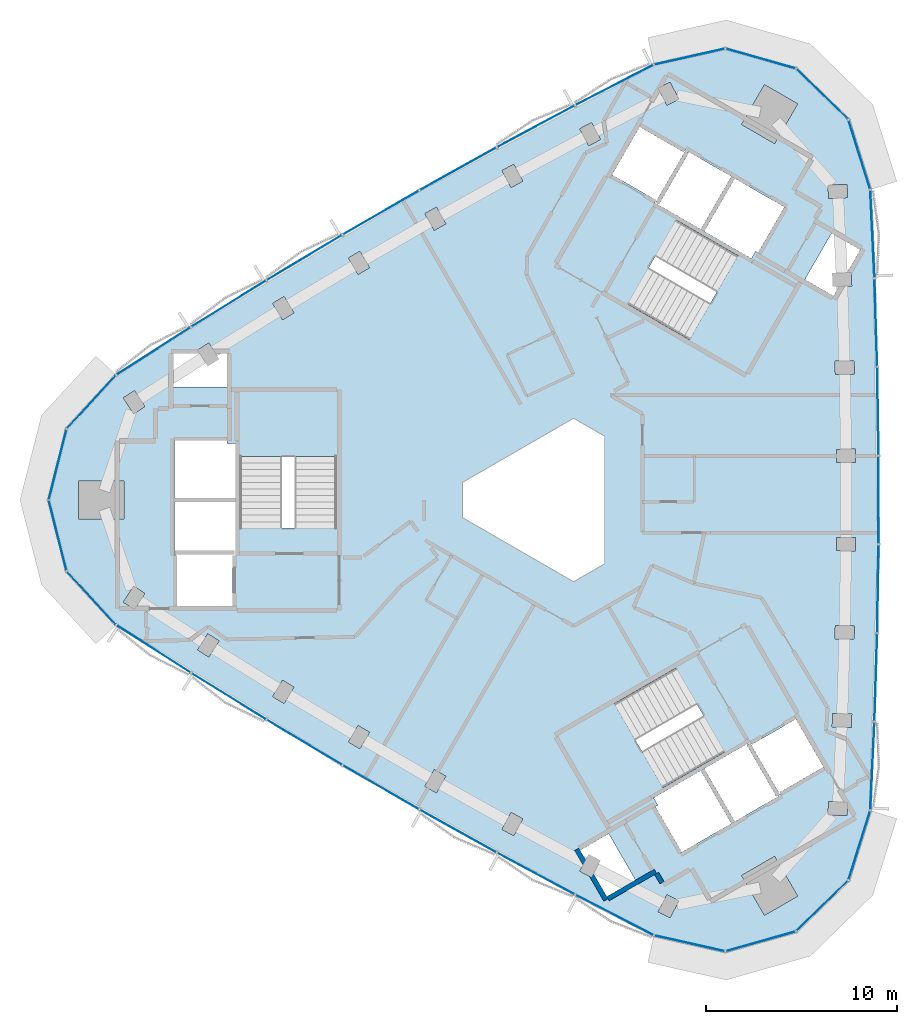
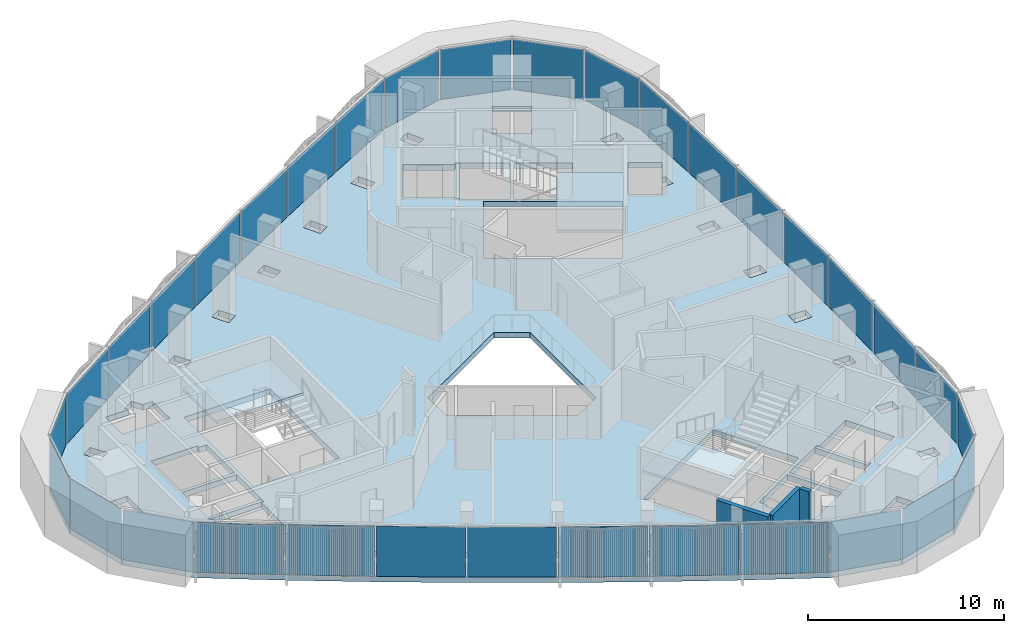
# One storey, part 5 of 12: 33 plates, 4 slabs, 3 walls, 6 elements without a shape of their own.
"""IFC4 building model written with IfcOpenShell, lengths in metres."""

from ifc_helpers import new_model, si_unit, direction, frame, frame_2d, origin, origin_2d, place, context, subcontext, project, spatial, polyline, rectangle, outline, extrude, material, layer, layer_set, type_object, element, aggregate, save


model = new_model("IFC4")

# Units and contexts
model_context = context("Model", 3, precision=1e-05, world=origin(), true_north=direction((0.0, 1.0)))
body_context = subcontext(model_context, "Body", "Model", "MODEL_VIEW")
ifc_project = project(units=[si_unit("LENGTHUNIT", "METRE"), si_unit("AREAUNIT", "SQUARE_METRE"), si_unit("VOLUMEUNIT", "CUBIC_METRE"), si_unit("PLANEANGLEUNIT", "RADIAN"), si_unit("MASSUNIT", "GRAM", prefix="KILO")], contexts=[model_context])

# Site, building, storey
site_placement = place(None, origin())
site = spatial("IfcSite", under=ifc_project, at=site_placement, CompositionType="ELEMENT")
building_placement = place(site_placement, origin())
building = spatial("IfcBuilding", under=site, at=building_placement, Name="Tamra Quay Hotel Tower", CompositionType="ELEMENT")
storey_placement = place(building_placement, frame((0.0, 0.0, 269.39990234375)))
storey = spatial("IfcBuildingStorey", under=building, at=storey_placement, Name="L68", CompositionType="ELEMENT", Elevation=269.39990234375)

# Stair, slab
ifc_material_1 = material(Name="Exit stair 2200 24 risers 150.0 going 342")
stair_type = type_object("IfcStairType", Name="Exit stair 2200 24 risers 150.0 going 342", PredefinedType="HALF_TURN_STAIR", material=ifc_material_1)
stair_1_placement = place(storey_placement, origin())
stair_1 = element("IfcStair", 1, at=stair_1_placement, inside=storey, type_object=stair_type, Name="L68 Exit stair ST3", PredefinedType="HALF_TURN_STAIR")
ifc_material_2 = material(Name="Concrete M70", Category="concrete")
ifc_layer_1 = layer(ifc_material_2, 0.175048828125)
ifc_layer_set_1 = layer_set([ifc_layer_1], Name="Concrete M70 stair landing 180")
slab_type_1 = type_object("IfcSlabType", Name="Concrete M70 stair landing 180", PredefinedType="LANDING", material=ifc_layer_set_1)
slab_1_placement = place(storey_placement, frame((0.0, 0.0, 1.625)))
slab_1 = element("IfcSlab", 2, at=slab_1_placement, type_object=slab_type_1, Name="ST3 landing 1", PredefinedType="LANDING", context=body_context, shape_type="SweptSolid", body=[
    extrude(outline(polyline([(-10.932373046875, 2.261962890625), (-10.932373046875, 5.679931640625), (-16.09130859375, 5.679931640625), (-16.09130859375, 2.261962890625), (-10.932373046875, 2.261962890625)])), origin(), (0.0, 0.0, 1.0), 0.175048828125),
])
aggregate(stair_1, [slab_1])

stair_2_placement = place(storey_placement, origin())
stair_2 = element("IfcStair", 3, at=stair_2_placement, inside=storey, type_object=stair_type, Name="L68 Exit stair ST1", PredefinedType="HALF_TURN_STAIR")
slab_2_placement = place(storey_placement, frame((0.0, 0.0, 1.625)))
slab_2 = element("IfcSlab", 4, at=slab_2_placement, type_object=slab_type_1, Name="ST1 landing 1", PredefinedType="LANDING", context=body_context, shape_type="SweptSolid", body=[
    extrude(outline(polyline([(7.425048828125, 8.336669921875), (10.385009765625, 6.627685546875), (12.964599609375, 11.095458984375), (10.00439453125, 12.804443359375), (7.425048828125, 8.336669921875)])), origin(), (0.0, 0.0, 1.0), 0.175048828125),
])
aggregate(stair_2, [slab_2])

stair_3_placement = place(storey_placement, origin())
stair_3 = element("IfcStair", 5, at=stair_3_placement, inside=storey, type_object=stair_type, Name="L68 Exit stair ST2", PredefinedType="HALF_TURN_STAIR")
slab_3_placement = place(storey_placement, frame((0.0, 0.0, 1.625)))
slab_3 = element("IfcSlab", 6, at=slab_3_placement, type_object=slab_type_1, Name="ST2 landing 1", PredefinedType="LANDING", context=body_context, shape_type="SweptSolid", body=[
    extrude(outline(polyline([(3.50732421875, -10.5986328125), (0.547119140625, -12.3076171875), (3.126708984375, -16.775390625), (6.086669921875, -15.06640625), (3.50732421875, -10.5986328125)])), origin(), (0.0, 0.0, 1.0), 0.175048828125),
])
aggregate(stair_3, [slab_3])

# Slab
ifc_material_3 = material(Name="Concrete M60", Category="concrete")
ifc_layer_2 = layer(ifc_material_3, 0.35009765625)
ifc_layer_set_2 = layer_set([ifc_layer_2], Name="FLOOR SLAB PT 350")
slab_type_2 = type_object("IfcSlabType", Name="FLOOR SLAB PT 350", PredefinedType="FLOOR", material=ifc_layer_set_2)
slab_4_placement = place(storey_placement, frame((0.0, 0.0, -0.349853515625)))
element("IfcSlab", 7, at=slab_4_placement, inside=storey, type_object=slab_type_2, Name="SLAB-L68", PredefinedType="FLOOR", context=body_context, shape_type="SweptSolid", body=[
    extrude(outline(polyline([(17.116943359375, 11.580810546875), (17.26171875, 6.9501953125), (17.333984375, 2.31689453125), (17.333984375, -2.31689453125), (17.26171875, -6.9501953125), (17.116943359375, -11.580810546875), (16.89990234375, -16.210205078125), (15.757080078125, -19.865966796875), (13.01171875, -22.536865234375), (9.325927734375, -23.5791015625), (5.58837890625, -22.740966796875), (1.470947265625, -20.614013671875), (-2.61181640625, -18.42431640625), (-6.660400390625, -16.170166015625), (-10.673583984375, -13.853271484375), (-14.64990234375, -11.473876953125), (-18.587890625, -9.033203125), (-22.488525390625, -6.530517578125), (-25.0830078125, -3.712890625), (-26.0234375, 0.0), (-25.0830078125, 3.712890625), (-22.488525390625, 6.530517578125), (-18.587890625, 9.033203125), (-14.64990234375, 11.473876953125), (-10.673583984375, 13.853271484375), (-6.660400390625, 16.170166015625), (-2.61181640625, 18.42431640625), (1.470947265625, 20.614013671875), (5.58837890625, 22.740966796875), (9.325927734375, 23.5791015625), (13.01171875, 22.536865234375), (15.757080078125, 19.865966796875), (16.89990234375, 16.210205078125), (17.116943359375, 11.580810546875)]), holes=[polyline([(-10.3671875, -12.641357421875), (-9.763671875, -12.99609375), (-9.2568359375, -12.13427734375), (-9.8603515625, -11.779296875), (-10.3671875, -12.641357421875)]), polyline([(-14.324462890625, -10.26708984375), (-13.7265625, -10.63134765625), (-13.206298828125, -9.77734375), (-13.803955078125, -9.4130859375), (-14.324462890625, -10.26708984375)]), polyline([(-18.244140625, -7.831298828125), (-17.652099609375, -8.20458984375), (-17.118896484375, -7.358642578125), (-17.7109375, -6.9853515625), (-18.244140625, -7.831298828125)]), polyline([(-21.57861328125, -4.497314453125), (-22.125244140625, -5.33447265625), (-21.539306640625, -5.71728515625), (-20.992431640625, -4.880126953125), (-21.57861328125, -4.497314453125)]), polyline([(-16.3173828125, -2.85498046875), (-19.4072265625, -2.85498046875), (-19.4072265625, -2.89306640625), (-19.307373046875, -2.89306640625), (-19.307373046875, -5.544921875), (-16.417236328125, -5.544921875), (-16.417236328125, -2.89306640625), (-16.3173828125, -2.89306640625), (-16.3173828125, -2.85498046875)]), polyline([(-19.417236328125, -2.64501953125), (-16.307373046875, -2.64501953125), (-16.307373046875, -2.89306640625), (-16.26708984375, -2.89306640625), (-16.26708984375, -0.10498046875), (-19.45751953125, -0.10498046875), (-19.45751953125, -2.89306640625), (-19.417236328125, -2.89306640625), (-19.417236328125, -2.64501953125)]), polyline([(-24.473388671875, 1.0), (-24.473388671875, -1.0), (-22.073486328125, -1.0), (-22.073486328125, 1.0), (-24.473388671875, 1.0)]), polyline([(-16.707275390625, 2.945068359375), (-16.707275390625, 3.09521484375), (-19.45751953125, 3.09521484375), (-19.45751953125, 0.10498046875), (-16.26708984375, 0.10498046875), (-16.26708984375, 2.945068359375), (-16.707275390625, 2.945068359375)]), polyline([(-16.036376953125, -1.455078125), (-10.9873046875, -1.455078125), (-10.9873046875, 5.625), (-16.036376953125, 5.625), (-16.036376953125, -1.455078125)]), polyline([(-20.992431640625, 4.880126953125), (-21.539306640625, 5.71728515625), (-22.125244140625, 5.33447265625), (-21.57861328125, 4.497314453125), (-20.992431640625, 4.880126953125)]), polyline([(-17.29931640625, 7.64501953125), (-17.652099609375, 8.20458984375), (-18.244140625, 7.831298828125), (-18.126708984375, 7.64501953125), (-19.50732421875, 7.64501953125), (-19.50732421875, 5.9150390625), (-16.71728515625, 5.9150390625), (-16.71728515625, 7.64501953125), (-17.29931640625, 7.64501953125)]), polyline([(-13.7265625, 10.63134765625), (-14.324462890625, 10.26708984375), (-13.803955078125, 9.4130859375), (-13.206298828125, 9.77734375), (-13.7265625, 10.63134765625)]), polyline([(-9.2568359375, 12.13427734375), (-9.763671875, 12.99609375), (-10.3671875, 12.641357421875), (-9.8603515625, 11.779296875), (-9.2568359375, 12.13427734375)]), polyline([(-5.271240234375, 14.428955078125), (-5.764404296875, 15.298828125), (-6.373291015625, 14.95361328125), (-5.880126953125, 14.083740234375), (-5.271240234375, 14.428955078125)]), polyline([(5.818359375, -21.51220703125), (6.44287109375, -21.828369140625), (6.89453125, -20.936279296875), (6.27001953125, -20.6201171875), (5.818359375, -21.51220703125)]), polyline([(3.236083984375, -17.43505859375), (1.73779296875, -18.300048828125), (2.02880859375, -18.80419921875), (1.720703125, -19.389404296875), (2.33984375, -19.715576171875), (2.442626953125, -19.520751953125), (3.1328125, -20.71630859375), (4.631103515625, -19.851318359375), (3.236083984375, -17.43505859375)]), polyline([(-2.34375, -17.203369140625), (-1.7294921875, -17.538818359375), (-1.25, -16.6611328125), (-1.864501953125, -16.32568359375), (-2.34375, -17.203369140625)]), polyline([(5.5830078125, -15.560302734375), (5.80322265625, -15.94140625), (5.673095703125, -16.0166015625), (7.04833984375, -18.398193359375), (9.6376953125, -16.903076171875), (8.042724609375, -14.14013671875), (5.5830078125, -15.560302734375)]), polyline([(12.214111328125, -15.369384765625), (11.999267578125, -15.493408203125), (10.4443359375, -12.800048828125), (10.6591796875, -12.676025390625), (10.63916015625, -12.64111328125), (8.224609375, -14.03515625), (9.819580078125, -16.798095703125), (12.234130859375, -15.404052734375), (12.214111328125, -15.369384765625)]), polyline([(-6.373291015625, -14.95361328125), (-5.764404296875, -15.298828125), (-5.271240234375, -14.428955078125), (-5.880126953125, -14.083740234375), (-6.373291015625, -14.95361328125)]), polyline([(6.75390625, -8.78759765625), (0.622314453125, -12.32763671875), (3.146728515625, -16.7001953125), (9.2783203125, -13.160400390625), (6.75390625, -8.78759765625)]), polyline([(-4.39990234375, 0.923828125), (-4.39990234375, -0.923828125), (1.39990234375, -4.2724609375), (3.0, -3.3486328125), (3.0, 3.3486328125), (1.39990234375, 4.2724609375), (-4.39990234375, 0.923828125)]), polyline([(6.758056640625, 14.615478515625), (4.2333984375, 10.242919921875), (10.364990234375, 6.702880859375), (12.889404296875, 11.075439453125), (6.758056640625, 14.615478515625)]), polyline([(7.203125, 18.262451171875), (7.41796875, 18.138427734375), (5.863037109375, 15.445068359375), (5.648193359375, 15.569091796875), (5.628173828125, 15.5341796875), (8.04248046875, 14.140380859375), (9.6376953125, 16.903076171875), (7.22314453125, 18.297119140625), (7.203125, 18.262451171875)]), polyline([(-1.7294921875, 17.538818359375), (-2.34375, 17.203369140625), (-1.864501953125, 16.32568359375), (-1.25, 16.6611328125), (-1.7294921875, 17.538818359375)]), polyline([(5.68603515625, 15.55859375), (7.231201171875, 18.234619140625), (7.1982421875, 18.253662109375), (7.148193359375, 18.1669921875), (4.8515625, 19.4931640625), (3.406494140625, 16.990234375), (5.703125, 15.664306640625), (5.6533203125, 15.57763671875), (5.68603515625, 15.55859375)]), polyline([(2.805908203125, 18.830810546875), (2.33984375, 19.715576171875), (1.720703125, 19.389404296875), (2.186767578125, 18.504638671875), (2.805908203125, 18.830810546875)]), polyline([(6.44287109375, 21.828369140625), (5.818359375, 21.51220703125), (6.27001953125, 20.6201171875), (6.89453125, 20.936279296875), (6.44287109375, 21.828369140625)]), polyline([(10.170654296875, -19.6162109375), (11.37060546875, -21.694580078125), (13.102783203125, -20.694580078125), (11.902587890625, -18.6162109375), (10.170654296875, -19.6162109375)]), polyline([(14.68408203125, -16.43896484375), (15.6826171875, -16.493896484375), (15.720947265625, -15.794921875), (14.722412109375, -15.739990234375), (14.68408203125, -16.43896484375)]), polyline([(12.176025390625, -15.379638671875), (12.208984375, -15.360595703125), (12.1591796875, -15.274169921875), (14.455810546875, -13.947998046875), (13.0107421875, -11.4453125), (10.714111328125, -12.771240234375), (10.6640625, -12.6845703125), (10.631103515625, -12.70361328125), (12.176025390625, -15.379638671875)]), polyline([(15.904296875, -11.88427734375), (15.931396484375, -11.184814453125), (14.93212890625, -11.14599609375), (14.905029296875, -11.845703125), (15.904296875, -11.88427734375)]), polyline([(16.0537109375, -7.271728515625), (16.0703125, -6.572021484375), (15.070556640625, -6.548095703125), (15.053955078125, -7.247802734375), (16.0537109375, -7.271728515625)]), polyline([(15.13134765625, -2.6494140625), (16.13134765625, -2.657470703125), (16.136962890625, -1.95751953125), (15.136962890625, -1.94970703125), (15.13134765625, -2.6494140625)]), polyline([(15.136962890625, 1.94970703125), (16.136962890625, 1.95751953125), (16.13134765625, 2.657470703125), (15.13134765625, 2.6494140625), (15.136962890625, 1.94970703125)]), polyline([(16.0703125, 6.572021484375), (16.0537109375, 7.271728515625), (15.053955078125, 7.247802734375), (15.070556640625, 6.548095703125), (16.0703125, 6.572021484375)]), polyline([(13.481201171875, 11.52001953125), (14.9794921875, 10.655029296875), (15.2705078125, 11.1591796875), (15.931396484375, 11.184814453125), (15.904296875, 11.88427734375), (15.68408203125, 11.875732421875), (16.37451171875, 13.0712890625), (14.876220703125, 13.936279296875), (13.481201171875, 11.52001953125)]), polyline([(10.904052734375, 12.996337890625), (11.0341796875, 12.92138671875), (12.4091796875, 15.302978515625), (9.819580078125, 16.798095703125), (8.224365234375, 14.035400390625), (10.68408203125, 12.615234375), (10.904052734375, 12.996337890625)]), polyline([(14.722412109375, 15.739990234375), (15.720947265625, 15.794921875), (15.6826171875, 16.493896484375), (14.68408203125, 16.43896484375), (14.722412109375, 15.739990234375)]), polyline([(11.902587890625, 18.6162109375), (13.102783203125, 20.694580078125), (11.37060546875, 21.694580078125), (10.170654296875, 19.6162109375), (11.902587890625, 18.6162109375)])]), origin(), (0.0, 0.0, 1.0), 0.349853515625),
])

# Curtain wall, plates
ifc_material_4 = material(Name="Aluminium 6063 anodised dark grey", Category="aluminium")
curtain_wall_type_1 = type_object("IfcCurtainWallType", Name="CW1 CURTAIN WALL", PredefinedType="NOTDEFINED", material=ifc_material_4)
curtain_wall_1_placement = place(storey_placement, origin())
curtain_wall_1 = element("IfcCurtainWall", 8, at=curtain_wall_1_placement, inside=storey, type_object=curtain_wall_type_1, Name="CW1 east face L68", PredefinedType="NOTDEFINED")
ifc_material_5 = material(Name="Glass clear laminated low-iron", Category="glass")
ifc_layer_3 = layer(ifc_material_5, 0.02587890625)
ifc_layer_set_3 = layer_set([ifc_layer_3], Name="GLASS PANEL CW1 Z6")
plate_type_1 = type_object("IfcPlateType", Name="GLASS PANEL CW1 Z6", PredefinedType="CURTAIN_PANEL", material=ifc_layer_set_3)
plate_1_placement = place(storey_placement, frame((17.00830078125, -13.8955078125, 0.0), z_axis=(0.0, 0.0, 1.0), x_axis=(0.04682126455, 0.998903283199, 0.0)))
plate_1 = element("IfcPlate", 9, at=plate_1_placement, type_object=plate_type_1, Name="CW1 glass L68.E.1", PredefinedType="CURTAIN_PANEL", context=body_context, shape_type="SweptSolid", body=[
    extrude(rectangle(XDim=4.534423828125, YDim=0.02587890625, at=origin_2d()), origin(), (0.0, 0.0, 1.0), 3.110107421875),
])
plate_2_placement = place(storey_placement, frame((17.189208984375, -9.265625, 0.0), z_axis=(0.0, 0.0, 1.0), x_axis=(0.031241804319, 0.999511855689, 0.0)))
plate_2 = element("IfcPlate", 10, at=plate_2_placement, type_object=plate_type_1, Name="CW1 glass L68.E.2", PredefinedType="CURTAIN_PANEL", context=body_context, shape_type="SweptSolid", body=[
    extrude(rectangle(XDim=4.532958984375, YDim=0.02587890625, at=origin_2d()), origin(), (0.0, 0.0, 1.0), 3.110107421875),
])
plate_3_placement = place(storey_placement, frame((17.2978515625, -4.633544921875, 0.0), z_axis=(0.0, 0.0, 1.0), x_axis=(0.01563239478, 0.999877806651, 0.0)))
plate_3 = element("IfcPlate", 11, at=plate_3_placement, type_object=plate_type_1, Name="CW1 glass L68.E.3", PredefinedType="CURTAIN_PANEL", context=body_context, shape_type="SweptSolid", body=[
    extrude(rectangle(XDim=4.533935546875, YDim=0.02587890625, at=origin_2d()), origin(), (0.0, 0.0, 1.0), 3.110107421875),
])
plate_4_placement = place(storey_placement, frame((17.333984375, 0.0, 0.0), z_axis=(0.0, 0.0, 1.0), x_axis=(0.0, 1.0, 0.0)))
plate_4 = element("IfcPlate", 12, at=plate_4_placement, type_object=plate_type_1, Name="CW1 glass L68.E.4", PredefinedType="CURTAIN_PANEL", context=body_context, shape_type="SweptSolid", body=[
    extrude(rectangle(XDim=4.533935546875, YDim=0.02587890625, at=origin_2d()), origin(), (0.0, 0.0, 1.0), 3.110107421875),
])
plate_5_placement = place(storey_placement, frame((17.2978515625, 4.633544921875, 0.0), z_axis=(0.0, 0.0, 1.0), x_axis=(-0.01563239478, 0.999877806651, 0.0)))
plate_5 = element("IfcPlate", 13, at=plate_5_placement, type_object=plate_type_1, Name="CW1 glass L68.E.5", PredefinedType="CURTAIN_PANEL", context=body_context, shape_type="SweptSolid", body=[
    extrude(rectangle(XDim=4.533935546875, YDim=0.02587890625, at=origin_2d()), origin(), (0.0, 0.0, 1.0), 3.110107421875),
])
plate_6_placement = place(storey_placement, frame((17.189208984375, 9.265625, 0.0), z_axis=(0.0, 0.0, 1.0), x_axis=(-0.031241804319, 0.999511855689, 0.0)))
plate_6 = element("IfcPlate", 14, at=plate_6_placement, type_object=plate_type_1, Name="CW1 glass L68.E.6", PredefinedType="CURTAIN_PANEL", context=body_context, shape_type="SweptSolid", body=[
    extrude(rectangle(XDim=4.532958984375, YDim=0.02587890625, at=origin_2d()), origin(), (0.0, 0.0, 1.0), 3.110107421875),
])
plate_7_placement = place(storey_placement, frame((17.00830078125, 13.8955078125, 0.0), z_axis=(0.0, 0.0, 1.0), x_axis=(-0.04682126455, 0.998903283199, 0.0)))
plate_7 = element("IfcPlate", 15, at=plate_7_placement, type_object=plate_type_1, Name="CW1 glass L68.E.7", PredefinedType="CURTAIN_PANEL", context=body_context, shape_type="SweptSolid", body=[
    extrude(rectangle(XDim=4.534423828125, YDim=0.02587890625, at=origin_2d()), origin(), (0.0, 0.0, 1.0), 3.110107421875),
])
plate_8_placement = place(storey_placement, frame((16.328369140625, 18.0380859375, 0.0), z_axis=(0.0, 0.0, 1.0), x_axis=(-0.29839239288, 0.954443282689, 0.0)))
plate_8 = element("IfcPlate", 16, at=plate_8_placement, type_object=plate_type_1, Name="CW1 glass L68.E.8", PredefinedType="CURTAIN_PANEL", context=body_context, shape_type="SweptSolid", body=[
    extrude(rectangle(XDim=3.730224609375, YDim=0.02587890625, at=origin_2d()), origin(), (0.0, 0.0, 1.0), 3.110107421875),
])
plate_9_placement = place(storey_placement, frame((14.38427734375, 21.201416015625, 0.0), z_axis=(0.0, 0.0, 1.0), x_axis=(-0.716752699854, 0.69732744622, 0.0)))
plate_9 = element("IfcPlate", 17, at=plate_9_placement, type_object=plate_type_1, Name="CW1 glass L68.E.9", PredefinedType="CURTAIN_PANEL", context=body_context, shape_type="SweptSolid", body=[
    extrude(rectangle(XDim=3.730224609375, YDim=0.02587890625, at=origin_2d()), origin(), (0.0, 0.0, 1.0), 3.110107421875),
])
plate_10_placement = place(storey_placement, frame((11.168701171875, 23.057861328125, 0.0), z_axis=(0.0, 0.0, 1.0), x_axis=(-0.96227963311, 0.272062323195, 0.0)))
plate_10 = element("IfcPlate", 18, at=plate_10_placement, type_object=plate_type_1, Name="CW1 glass L68.E.10", PredefinedType="CURTAIN_PANEL", context=body_context, shape_type="SweptSolid", body=[
    extrude(rectangle(XDim=3.730224609375, YDim=0.02587890625, at=origin_2d()), origin(), (0.0, 0.0, 1.0), 3.110107421875),
])
plate_11_placement = place(storey_placement, frame((7.457275390625, 23.159912109375, 0.0), z_axis=(0.0, 0.0, 1.0), x_axis=(-0.975768325721, -0.218806248814, 0.0)))
plate_11 = element("IfcPlate", 19, at=plate_11_placement, type_object=plate_type_1, Name="CW1 glass L68.E.11", PredefinedType="CURTAIN_PANEL", context=body_context, shape_type="SweptSolid", body=[
    extrude(rectangle(XDim=3.730224609375, YDim=0.02587890625, at=origin_2d()), origin(), (0.0, 0.0, 1.0), 3.110107421875),
])
aggregate(curtain_wall_1, [plate_1, plate_2, plate_3, plate_4, plate_5, plate_6, plate_7, plate_8, plate_9, plate_10, plate_11])

curtain_wall_type_2 = type_object("IfcCurtainWallType", Name="CW2 CURTAIN WALL", PredefinedType="NOTDEFINED", material=ifc_material_4)
curtain_wall_2_placement = place(storey_placement, origin())
curtain_wall_2 = element("IfcCurtainWall", 20, at=curtain_wall_2_placement, inside=storey, type_object=curtain_wall_type_2, Name="CW2 north-west face L68", PredefinedType="NOTDEFINED")
ifc_layer_4 = layer(ifc_material_5, 0.02587890625)
ifc_layer_set_4 = layer_set([ifc_layer_4], Name="GLASS PANEL CW2 Z6")
plate_type_2 = type_object("IfcPlateType", Name="GLASS PANEL CW2 Z6", PredefinedType="CURTAIN_PANEL", material=ifc_layer_set_4)
plate_12_placement = place(storey_placement, frame((3.52978515625, 21.677490234375, 0.0), z_axis=(0.0, 0.0, 1.0), x_axis=(-0.888486251449, -0.458903237062, 0.0)))
plate_12 = element("IfcPlate", 21, at=plate_12_placement, type_object=plate_type_2, Name="CW2 glass L68.NW.1", PredefinedType="CURTAIN_PANEL", context=body_context, shape_type="SweptSolid", body=[
    extrude(rectangle(XDim=4.534423828125, YDim=0.02587890625, at=origin_2d()), origin(), (0.0, 0.0, 1.0), 3.110107421875),
])
plate_13_placement = place(storey_placement, frame((-0.5703125, 19.51904296875, 0.0), z_axis=(0.0, 0.0, 1.0), x_axis=(-0.88122356057, -0.472699731644, 0.0)))
plate_13 = element("IfcPlate", 22, at=plate_13_placement, type_object=plate_type_2, Name="CW2 glass L68.NW.2", PredefinedType="CURTAIN_PANEL", context=body_context, shape_type="SweptSolid", body=[
    extrude(rectangle(XDim=4.532958984375, YDim=0.02587890625, at=origin_2d()), origin(), (0.0, 0.0, 1.0), 3.110107421875),
])
plate_14_placement = place(storey_placement, frame((-4.635986328125, 17.297119140625, 0.0), z_axis=(0.0, 0.0, 1.0), x_axis=(-0.87373577863, -0.486400852324, 0.0)))
plate_14 = element("IfcPlate", 23, at=plate_14_placement, type_object=plate_type_2, Name="CW2 glass L68.NW.3", PredefinedType="CURTAIN_PANEL", context=body_context, shape_type="SweptSolid", body=[
    extrude(rectangle(XDim=4.533935546875, YDim=0.02587890625, at=origin_2d()), origin(), (0.0, 0.0, 1.0), 3.110107421875),
])
plate_15_placement = place(storey_placement, frame((-8.6669921875, 15.01171875, 0.0), z_axis=(0.0, 0.0, 1.0), x_axis=(-0.866025403784, -0.5, 0.0)))
plate_15 = element("IfcPlate", 24, at=plate_15_placement, type_object=plate_type_2, Name="CW2 glass L68.NW.4", PredefinedType="CURTAIN_PANEL", context=body_context, shape_type="SweptSolid", body=[
    extrude(rectangle(XDim=4.533935546875, YDim=0.02587890625, at=origin_2d()), origin(), (0.0, 0.0, 1.0), 3.110107421875),
])
plate_16_placement = place(storey_placement, frame((-12.661865234375, 12.66357421875, 0.0), z_axis=(0.0, 0.0, 1.0), x_axis=(-0.85810338385, -0.513476954327, 0.0)))
plate_16 = element("IfcPlate", 25, at=plate_16_placement, type_object=plate_type_2, Name="CW2 glass L68.NW.5", PredefinedType="CURTAIN_PANEL", context=body_context, shape_type="SweptSolid", body=[
    extrude(rectangle(XDim=4.533935546875, YDim=0.02587890625, at=origin_2d()), origin(), (0.0, 0.0, 1.0), 3.110107421875),
])
plate_17_placement = place(storey_placement, frame((-16.618896484375, 10.25341796875, 0.0), z_axis=(0.0, 0.0, 1.0), x_axis=(-0.849981756251, -0.526812124045, 0.0)))
plate_17 = element("IfcPlate", 26, at=plate_17_placement, type_object=plate_type_2, Name="CW2 glass L68.NW.6", PredefinedType="CURTAIN_PANEL", context=body_context, shape_type="SweptSolid", body=[
    extrude(rectangle(XDim=4.532958984375, YDim=0.02587890625, at=origin_2d()), origin(), (0.0, 0.0, 1.0), 3.110107421875),
])
plate_18_placement = place(storey_placement, frame((-20.5380859375, 7.781982421875, 0.0), z_axis=(0.0, 0.0, 1.0), x_axis=(-0.841664986899, -0.540000046137, 0.0)))
plate_18 = element("IfcPlate", 27, at=plate_18_placement, type_object=plate_type_2, Name="CW2 glass L68.NW.7", PredefinedType="CURTAIN_PANEL", context=body_context, shape_type="SweptSolid", body=[
    extrude(rectangle(XDim=4.534423828125, YDim=0.02587890625, at=origin_2d()), origin(), (0.0, 0.0, 1.0), 3.110107421875),
])
plate_19_placement = place(storey_placement, frame((-23.78564453125, 5.121826171875, 0.0), z_axis=(0.0, 0.0, 1.0), x_axis=(-0.67737593284, -0.735637033875, 0.0)))
plate_19 = element("IfcPlate", 28, at=plate_19_placement, type_object=plate_type_2, Name="CW2 glass L68.NW.8", PredefinedType="CURTAIN_PANEL", context=body_context, shape_type="SweptSolid", body=[
    extrude(rectangle(XDim=3.730224609375, YDim=0.02587890625, at=origin_2d()), origin(), (0.0, 0.0, 1.0), 3.110107421875),
])
plate_20_placement = place(storey_placement, frame((-25.55322265625, 1.8564453125, 0.0), z_axis=(0.0, 0.0, 1.0), x_axis=(-0.245526933255, -0.969389769415, 0.0)))
plate_20 = element("IfcPlate", 29, at=plate_20_placement, type_object=plate_type_2, Name="CW2 glass L68.NW.9", PredefinedType="CURTAIN_PANEL", context=body_context, shape_type="SweptSolid", body=[
    extrude(rectangle(XDim=3.730224609375, YDim=0.02587890625, at=origin_2d()), origin(), (0.0, 0.0, 1.0), 3.110107421875),
])
plate_21_placement = place(storey_placement, frame((-25.55322265625, -1.8564453125, 0.0), z_axis=(0.0, 0.0, 1.0), x_axis=(0.245526933255, -0.969389769415, 0.0)))
plate_21 = element("IfcPlate", 30, at=plate_21_placement, type_object=plate_type_2, Name="CW2 glass L68.NW.10", PredefinedType="CURTAIN_PANEL", context=body_context, shape_type="SweptSolid", body=[
    extrude(rectangle(XDim=3.730224609375, YDim=0.02587890625, at=origin_2d()), origin(), (0.0, 0.0, 1.0), 3.110107421875),
])
plate_22_placement = place(storey_placement, frame((-23.78564453125, -5.121826171875, 0.0), z_axis=(0.0, 0.0, 1.0), x_axis=(0.67737593284, -0.735637033875, 0.0)))
plate_22 = element("IfcPlate", 31, at=plate_22_placement, type_object=plate_type_2, Name="CW2 glass L68.NW.11", PredefinedType="CURTAIN_PANEL", context=body_context, shape_type="SweptSolid", body=[
    extrude(rectangle(XDim=3.730224609375, YDim=0.02587890625, at=origin_2d()), origin(), (0.0, 0.0, 1.0), 3.110107421875),
])
aggregate(curtain_wall_2, [plate_12, plate_13, plate_14, plate_15, plate_16, plate_17, plate_18, plate_19, plate_20, plate_21, plate_22])

curtain_wall_type_3 = type_object("IfcCurtainWallType", Name="CW3 CURTAIN WALL", PredefinedType="NOTDEFINED", material=ifc_material_4)
curtain_wall_3_placement = place(storey_placement, origin())
curtain_wall_3 = element("IfcCurtainWall", 32, at=curtain_wall_3_placement, inside=storey, type_object=curtain_wall_type_3, Name="CW3 south-west face L68", PredefinedType="NOTDEFINED")
ifc_layer_5 = layer(ifc_material_5, 0.02587890625)
ifc_layer_set_5 = layer_set([ifc_layer_5], Name="GLASS PANEL CW3 Z6")
plate_type_3 = type_object("IfcPlateType", Name="GLASS PANEL CW3 Z6", PredefinedType="CURTAIN_PANEL", material=ifc_layer_set_5)
plate_23_placement = place(storey_placement, frame((-20.5380859375, -7.781982421875, 0.0), z_axis=(0.0, 0.0, 1.0), x_axis=(0.841664986899, -0.540000046137, 0.0)))
plate_23 = element("IfcPlate", 33, at=plate_23_placement, type_object=plate_type_3, Name="CW3 glass L68.SW.1", PredefinedType="CURTAIN_PANEL", context=body_context, shape_type="SweptSolid", body=[
    extrude(rectangle(XDim=4.534423828125, YDim=0.02587890625, at=origin_2d()), origin(), (0.0, 0.0, 1.0), 3.110107421875),
])
plate_24_placement = place(storey_placement, frame((-16.618896484375, -10.25341796875, 0.0), z_axis=(0.0, 0.0, 1.0), x_axis=(0.849981756251, -0.526812124045, 0.0)))
plate_24 = element("IfcPlate", 34, at=plate_24_placement, type_object=plate_type_3, Name="CW3 glass L68.SW.2", PredefinedType="CURTAIN_PANEL", context=body_context, shape_type="SweptSolid", body=[
    extrude(rectangle(XDim=4.532958984375, YDim=0.02587890625, at=origin_2d()), origin(), (0.0, 0.0, 1.0), 3.110107421875),
])
plate_25_placement = place(storey_placement, frame((-12.661865234375, -12.66357421875, 0.0), z_axis=(0.0, 0.0, 1.0), x_axis=(0.85810338385, -0.513476954327, 0.0)))
plate_25 = element("IfcPlate", 35, at=plate_25_placement, type_object=plate_type_3, Name="CW3 glass L68.SW.3", PredefinedType="CURTAIN_PANEL", context=body_context, shape_type="SweptSolid", body=[
    extrude(rectangle(XDim=4.533935546875, YDim=0.02587890625, at=origin_2d()), origin(), (0.0, 0.0, 1.0), 3.110107421875),
])
plate_26_placement = place(storey_placement, frame((-8.6669921875, -15.01171875, 0.0), z_axis=(0.0, 0.0, 1.0), x_axis=(0.866025403784, -0.5, 0.0)))
plate_26 = element("IfcPlate", 36, at=plate_26_placement, type_object=plate_type_3, Name="CW3 glass L68.SW.4", PredefinedType="CURTAIN_PANEL", context=body_context, shape_type="SweptSolid", body=[
    extrude(rectangle(XDim=4.533935546875, YDim=0.02587890625, at=origin_2d()), origin(), (0.0, 0.0, 1.0), 3.110107421875),
])
plate_27_placement = place(storey_placement, frame((-4.635986328125, -17.297119140625, 0.0), z_axis=(0.0, 0.0, 1.0), x_axis=(0.87373577863, -0.486400852324, 0.0)))
plate_27 = element("IfcPlate", 37, at=plate_27_placement, type_object=plate_type_3, Name="CW3 glass L68.SW.5", PredefinedType="CURTAIN_PANEL", context=body_context, shape_type="SweptSolid", body=[
    extrude(rectangle(XDim=4.533935546875, YDim=0.02587890625, at=origin_2d()), origin(), (0.0, 0.0, 1.0), 3.110107421875),
])
plate_28_placement = place(storey_placement, frame((-0.5703125, -19.51904296875, 0.0), z_axis=(0.0, 0.0, 1.0), x_axis=(0.88122356057, -0.472699731644, 0.0)))
plate_28 = element("IfcPlate", 38, at=plate_28_placement, type_object=plate_type_3, Name="CW3 glass L68.SW.6", PredefinedType="CURTAIN_PANEL", context=body_context, shape_type="SweptSolid", body=[
    extrude(rectangle(XDim=4.532958984375, YDim=0.02587890625, at=origin_2d()), origin(), (0.0, 0.0, 1.0), 3.110107421875),
])
plate_29_placement = place(storey_placement, frame((3.52978515625, -21.677490234375, 0.0), z_axis=(0.0, 0.0, 1.0), x_axis=(0.888486251449, -0.458903237062, 0.0)))
plate_29 = element("IfcPlate", 39, at=plate_29_placement, type_object=plate_type_3, Name="CW3 glass L68.SW.7", PredefinedType="CURTAIN_PANEL", context=body_context, shape_type="SweptSolid", body=[
    extrude(rectangle(XDim=4.534423828125, YDim=0.02587890625, at=origin_2d()), origin(), (0.0, 0.0, 1.0), 3.110107421875),
])
plate_30_placement = place(storey_placement, frame((7.457275390625, -23.159912109375, 0.0), z_axis=(0.0, 0.0, 1.0), x_axis=(0.975768325721, -0.218806248814, 0.0)))
plate_30 = element("IfcPlate", 40, at=plate_30_placement, type_object=plate_type_3, Name="CW3 glass L68.SW.8", PredefinedType="CURTAIN_PANEL", context=body_context, shape_type="SweptSolid", body=[
    extrude(rectangle(XDim=3.730224609375, YDim=0.02587890625, at=origin_2d()), origin(), (0.0, 0.0, 1.0), 3.110107421875),
])
plate_31_placement = place(storey_placement, frame((11.168701171875, -23.057861328125, 0.0), z_axis=(0.0, 0.0, 1.0), x_axis=(0.96227963311, 0.272062323195, 0.0)))
plate_31 = element("IfcPlate", 41, at=plate_31_placement, type_object=plate_type_3, Name="CW3 glass L68.SW.9", PredefinedType="CURTAIN_PANEL", context=body_context, shape_type="SweptSolid", body=[
    extrude(rectangle(XDim=3.730224609375, YDim=0.02587890625, at=origin_2d()), origin(), (0.0, 0.0, 1.0), 3.110107421875),
])
plate_32_placement = place(storey_placement, frame((14.38427734375, -21.201416015625, 0.0), z_axis=(0.0, 0.0, 1.0), x_axis=(0.716752699854, 0.69732744622, 0.0)))
plate_32 = element("IfcPlate", 42, at=plate_32_placement, type_object=plate_type_3, Name="CW3 glass L68.SW.10", PredefinedType="CURTAIN_PANEL", context=body_context, shape_type="SweptSolid", body=[
    extrude(rectangle(XDim=3.730224609375, YDim=0.02587890625, at=origin_2d()), origin(), (0.0, 0.0, 1.0), 3.110107421875),
])
plate_33_placement = place(storey_placement, frame((16.328369140625, -18.0380859375, 0.0), z_axis=(0.0, 0.0, 1.0), x_axis=(0.29839239288, 0.954443282689, 0.0)))
plate_33 = element("IfcPlate", 43, at=plate_33_placement, type_object=plate_type_3, Name="CW3 glass L68.SW.11", PredefinedType="CURTAIN_PANEL", context=body_context, shape_type="SweptSolid", body=[
    extrude(rectangle(XDim=3.730224609375, YDim=0.02587890625, at=origin_2d()), origin(), (0.0, 0.0, 1.0), 3.110107421875),
])
aggregate(curtain_wall_3, [plate_23, plate_24, plate_25, plate_26, plate_27, plate_28, plate_29, plate_30, plate_31, plate_32, plate_33])

# Walls
ifc_layer_6 = layer(ifc_material_2, 0.25)
ifc_layer_set_6 = layer_set([ifc_layer_6], Name="Concrete M70 core wall 250")
wall_type = type_object("IfcWallType", Name="Concrete M70 core wall 250", PredefinedType="SHEAR", material=ifc_layer_set_6)
wall_1_placement = place(storey_placement, frame((3.085205078125, -20.893798828125, 0.0), z_axis=(0.0, 0.0, 1.0), x_axis=(-0.499978833458, 0.866037623948, 0.0)))
element("IfcWall", 44, at=wall_1_placement, inside=storey, type_object=wall_type, Name="CW1", PredefinedType="SHEAR", context=body_context, shape_type="SweptSolid", body=[
    extrude(rectangle(XDim=3.050048828125, YDim=0.25, at=frame_2d((1.52490234375, 0.0))), origin(), (0.0, 0.0, 1.0), 3.25),
])
wall_2_placement = place(storey_placement, frame((5.6748046875, -19.39892578125, 0.0), z_axis=(0.0, 0.0, 1.0), x_axis=(-0.866026637627, -0.499997862916, 0.0)))
element("IfcWall", 45, at=wall_2_placement, inside=storey, type_object=wall_type, Name="CW1", PredefinedType="SHEAR", context=body_context, shape_type="SweptSolid", body=[
    extrude(rectangle(XDim=2.86474609375, YDim=0.25, at=frame_2d((1.432373046875, 0.0))), origin(), (0.0, 0.0, 1.0), 3.25),
])
wall_3_placement = place(storey_placement, frame((6.01708984375, -19.99169921875, 0.0), z_axis=(0.0, 0.0, 1.0), x_axis=(-0.500364886717, 0.865814633822, 0.0)))
element("IfcWall", 46, at=wall_3_placement, inside=storey, type_object=wall_type, Name="CW1", PredefinedType="SHEAR", context=body_context, shape_type="SweptSolid", body=[
    extrude(rectangle(XDim=0.55908203125, YDim=0.25, at=frame_2d((0.279541015625, 0.0))), origin(), (0.0, 0.0, 1.0), 3.25),
])

save(model, "model.ifc")
